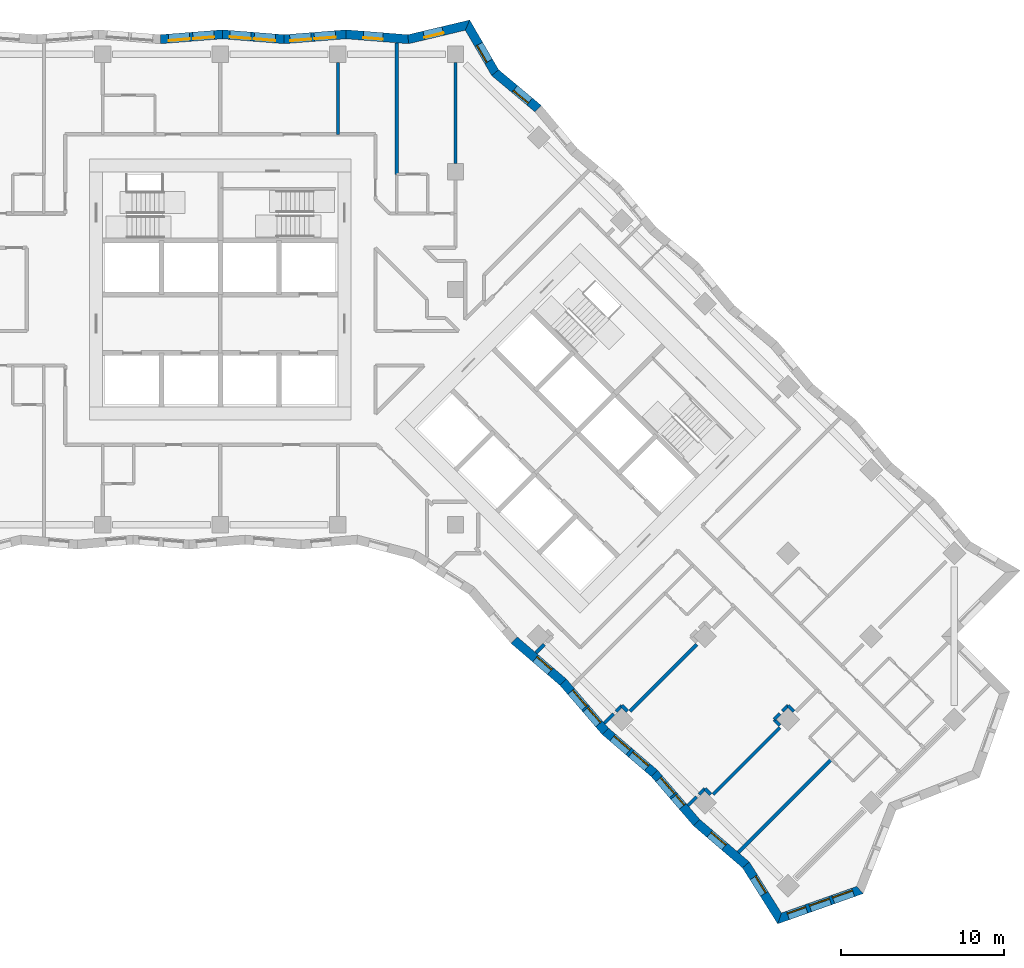
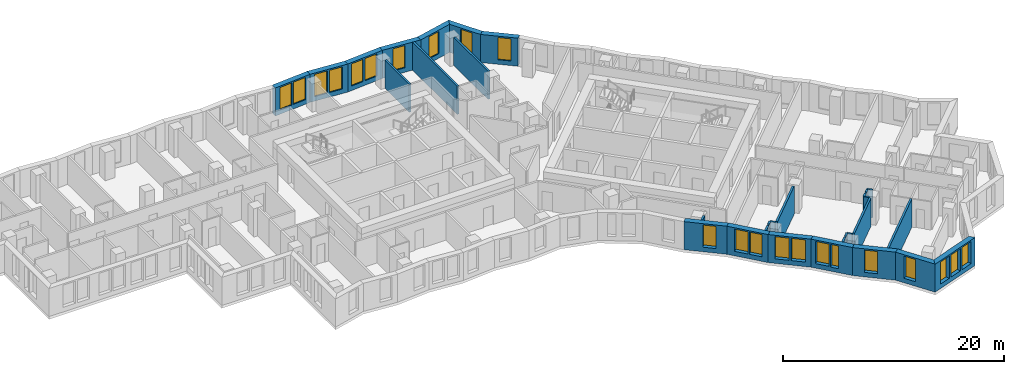
# One storey, part 7 of 12: 31 walls, 22 windows, 22 openings.
"""IFC4 building model written with IfcOpenShell, lengths in metres."""

from ifc_helpers import new_model, si_unit, direction, frame, frame_2d, origin, place, context, subcontext, project, spatial, polyline, rectangle, outline, extrude, material, layer, layer_set, type_object, element, fill, save


model = new_model("IFC4")

# Units and contexts
model_context = context("Model", 3, precision=1e-05, world=origin(), true_north=direction((0.0, 1.0)))
body_context = subcontext(model_context, "Body", "Model", "MODEL_VIEW")
ifc_project = project(units=[si_unit("LENGTHUNIT", "METRE"), si_unit("AREAUNIT", "SQUARE_METRE"), si_unit("VOLUMEUNIT", "CUBIC_METRE"), si_unit("PLANEANGLEUNIT", "RADIAN"), si_unit("MASSUNIT", "GRAM", prefix="KILO")], contexts=[model_context])

# Site, building, storey
site_placement = place(None, origin())
site = spatial("IfcSite", under=ifc_project, at=site_placement, CompositionType="ELEMENT")
building_placement = place(site_placement, origin())
building = spatial("IfcBuilding", under=site, at=building_placement, Name="Windrow Commons", CompositionType="ELEMENT")
storey_placement = place(building_placement, frame((0.0, 0.0, 81.2)))
storey = spatial("IfcBuildingStorey", under=building, at=storey_placement, Name="L21", CompositionType="ELEMENT", Elevation=81.2)

# Wall, openings, windows
ifc_material_1 = material(Name="Brick masonry, red clay brick", Category="masonry")
ifc_layer_1 = layer(ifc_material_1, 0.55)
ifc_layer_set_1 = layer_set([ifc_layer_1], Name="Brick facade wall 550")
wall_type_1 = type_object("IfcWallType", Name="Brick facade wall 550", PredefinedType="SOLIDWALL", material=ifc_layer_set_1)
wall_1_placement = place(storey_placement, frame((99.044, 19.0875, 0.0), z_axis=(0.0, 0.0, 1.0), x_axis=(0.9428152367, 0.3333158105, 0.0)))
wall_1 = element("IfcWall", 1, at=wall_1_placement, inside=storey, type_object=wall_type_1, Name="Brick facade wall L21 1", PredefinedType="SOLIDWALL", context=body_context, shape_type="SweptSolid", body=[
    extrude(outline(polyline([(-0.2199, -0.275), (5.3488, -0.275), (5.0971, 0.275), (0.2199, 0.275), (-0.2199, -0.275)])), origin(), (0.0, 0.0, 1.0), 3.1),
])
opening_1_placement = place(wall_1_placement, frame((1.9798, 0.0, 0.5)))
opening_1 = element("IfcOpeningElement", 2, at=opening_1_placement, cuts=wall_1, Name="Opening W1P", PredefinedType="OPENING", context=body_context, shape_type="SweptSolid", body=[
    extrude(rectangle(XDim=1.3, YDim=2.45, at=frame_2d((0.65, 1.225))), frame((0.0, 0.285, 0.0), z_axis=(0.0, -1.0, 0.0), x_axis=(1.0, 0.0, 0.0)), (0.0, 0.0, 1.0), 0.57),
])
opening_2_placement = place(wall_1_placement, frame((3.4798, 0.0, 0.5)))
opening_2 = element("IfcOpeningElement", 3, at=opening_2_placement, cuts=wall_1, Name="Opening W1P", PredefinedType="OPENING", context=body_context, shape_type="SweptSolid", body=[
    extrude(rectangle(XDim=1.3, YDim=2.45, at=frame_2d((0.65, 1.225))), frame((0.0, 0.285, 0.0), z_axis=(0.0, -1.0, 0.0), x_axis=(1.0, 0.0, 0.0)), (0.0, 0.0, 1.0), 0.57),
])
opening_3_placement = place(wall_1_placement, frame((0.5412, 0.0, 0.5)))
opening_3 = element("IfcOpeningElement", 4, at=opening_3_placement, cuts=wall_1, Name="Opening W7D", PredefinedType="OPENING", context=body_context, shape_type="SweptSolid", body=[
    extrude(rectangle(XDim=1.2, YDim=2.45, at=frame_2d((0.6, 1.225))), frame((0.0, 0.285, 0.0), z_axis=(0.0, -1.0, 0.0), x_axis=(1.0, 0.0, 0.0)), (0.0, 0.0, 1.0), 0.57),
])
ifc_material_2 = material(Name="Clear float glass in anodised aluminium frame", Category="aluminium")
window_type_1 = type_object("IfcWindowType", Name="Window W1P pair 1300x2450", PartitioningType="SINGLE_PANEL", PredefinedType="WINDOW", material=ifc_material_2)
window_1_placement = place(opening_1_placement, origin())
window_1 = element("IfcWindow", 5, at=window_1_placement, inside=storey, type_object=window_type_1, Name="Window L21 1.1A", OverallHeight=2.45, OverallWidth=1.3, PartitioningType="SINGLE_PANEL", PredefinedType="WINDOW", context=body_context, shape_type="SweptSolid", body=[
    extrude(rectangle(XDim=1.3, YDim=2.45, at=frame_2d((0.65, 1.225))), frame((0.0, 0.155, 0.0), z_axis=(0.0, -1.0, 0.0), x_axis=(1.0, 0.0, 0.0)), (0.0, 0.0, 1.0), 0.06),
])
fill(opening_1, window_1)
window_2_placement = place(opening_2_placement, origin())
window_2 = element("IfcWindow", 6, at=window_2_placement, inside=storey, type_object=window_type_1, Name="Window L21 1.1B", OverallHeight=2.45, OverallWidth=1.3, PartitioningType="SINGLE_PANEL", PredefinedType="WINDOW", context=body_context, shape_type="SweptSolid", body=[
    extrude(rectangle(XDim=1.3, YDim=2.45, at=frame_2d((0.65, 1.225))), frame((0.0, 0.155, 0.0), z_axis=(0.0, -1.0, 0.0), x_axis=(1.0, 0.0, 0.0)), (0.0, 0.0, 1.0), 0.06),
])
fill(opening_2, window_2)
ifc_material_3 = material(Name="Clear float glass in anodised aluminium frame", Category="aluminium")
window_type_2 = type_object("IfcWindowType", Name="Window W7 notch 1200x2450", PartitioningType="SINGLE_PANEL", PredefinedType="WINDOW", material=ifc_material_3)
window_3_placement = place(opening_3_placement, origin())
window_3 = element("IfcWindow", 7, at=window_3_placement, inside=storey, type_object=window_type_2, Name="Window L21 1.2", OverallHeight=2.45, OverallWidth=1.2, PartitioningType="SINGLE_PANEL", PredefinedType="WINDOW", context=body_context, shape_type="SweptSolid", body=[
    extrude(rectangle(XDim=1.2, YDim=2.45, at=frame_2d((0.6, 1.225))), frame((0.0, 0.155, 0.0), z_axis=(0.0, -1.0, 0.0), x_axis=(1.0, 0.0, 0.0)), (0.0, 0.0, 1.0), 0.06),
])
fill(opening_3, window_3)

# Wall, opening, window
wall_2_placement = place(storey_placement, frame((84.2658, 68.6651, 0.0), z_axis=(0.0, 0.0, 1.0), x_axis=(-0.7664346634, 0.6423222764, 0.0)))
wall_2 = element("IfcWall", 8, at=wall_2_placement, inside=storey, type_object=wall_type_1, Name="Brick facade wall L21 19", PredefinedType="SOLIDWALL", context=body_context, shape_type="SweptSolid", body=[
    extrude(outline(polyline([(-0.0242, -0.275), (3.3939, -0.275), (3.4901, 0.275), (0.0242, 0.275), (-0.0242, -0.275)])), origin(), (0.0, 0.0, 1.0), 3.1),
])
opening_4_placement = place(wall_2_placement, frame((0.6867, 0.0, 0.5)))
opening_4 = element("IfcOpeningElement", 9, at=opening_4_placement, cuts=wall_2, Name="Opening W7D", PredefinedType="OPENING", context=body_context, shape_type="SweptSolid", body=[
    extrude(rectangle(XDim=1.2, YDim=2.45, at=frame_2d((0.6, 1.225))), frame((0.0, 0.285, 0.0), z_axis=(0.0, -1.0, 0.0), x_axis=(1.0, 0.0, 0.0)), (0.0, 0.0, 1.0), 0.57),
])
window_4_placement = place(opening_4_placement, origin())
window_4 = element("IfcWindow", 10, at=window_4_placement, inside=storey, type_object=window_type_2, Name="Window L21 19.1", OverallHeight=2.45, OverallWidth=1.2, PartitioningType="SINGLE_PANEL", PredefinedType="WINDOW", context=body_context, shape_type="SweptSolid", body=[
    extrude(rectangle(XDim=1.2, YDim=2.45, at=frame_2d((0.6, 1.225))), frame((0.0, 0.155, 0.0), z_axis=(0.0, -1.0, 0.0), x_axis=(1.0, 0.0, 0.0)), (0.0, 0.0, 1.0), 0.06),
])
fill(opening_4, window_4)

wall_3_placement = place(storey_placement, frame((81.6277, 70.876, 0.0), z_axis=(0.0, 0.0, 1.0), x_axis=(-0.5029323205, 0.8643257956, 0.0)))
wall_3 = element("IfcWall", 11, at=wall_3_placement, inside=storey, type_object=wall_type_1, Name="Brick facade wall L21 20", PredefinedType="SOLIDWALL", context=body_context, shape_type="SweptSolid", body=[
    extrude(outline(polyline([(0.0481, -0.275), (3.57, -0.275), (3.1617, 0.275), (-0.0481, 0.275), (0.0481, -0.275)])), origin(), (0.0, 0.0, 1.0), 3.1),
])
opening_5_placement = place(wall_3_placement, frame((0.7988, 0.0, 0.5)))
opening_5 = element("IfcOpeningElement", 12, at=opening_5_placement, cuts=wall_3, Name="Opening W7D", PredefinedType="OPENING", context=body_context, shape_type="SweptSolid", body=[
    extrude(rectangle(XDim=1.2, YDim=2.45, at=frame_2d((0.6, 1.225))), frame((0.0, 0.285, 0.0), z_axis=(0.0, -1.0, 0.0), x_axis=(1.0, 0.0, 0.0)), (0.0, 0.0, 1.0), 0.57),
])
window_5_placement = place(opening_5_placement, origin())
window_5 = element("IfcWindow", 13, at=window_5_placement, inside=storey, type_object=window_type_2, Name="Window L21 20.1", OverallHeight=2.45, OverallWidth=1.2, PartitioningType="SINGLE_PANEL", PredefinedType="WINDOW", context=body_context, shape_type="SweptSolid", body=[
    extrude(rectangle(XDim=1.2, YDim=2.45, at=frame_2d((0.6, 1.225))), frame((0.0, 0.155, 0.0), z_axis=(0.0, -1.0, 0.0), x_axis=(1.0, 0.0, 0.0)), (0.0, 0.0, 1.0), 0.06),
])
fill(opening_5, window_5)

wall_4_placement = place(storey_placement, frame((79.9349, 73.7852, 0.0), z_axis=(0.0, 0.0, 1.0), x_axis=(-0.9728843946, -0.2312919254, 0.0)))
wall_4 = element("IfcWall", 14, at=wall_4_placement, inside=storey, type_object=wall_type_1, Name="Brick facade wall L21 21", PredefinedType="SOLIDWALL", context=body_context, shape_type="SweptSolid", body=[
    extrude(outline(polyline([(-0.2042, -0.275), (3.687, -0.275), (3.7736, 0.275), (0.2042, 0.275), (-0.2042, -0.275)])), origin(), (0.0, 0.0, 1.0), 3.1),
])
opening_6_placement = place(wall_4_placement, frame((1.5428, 0.0, 0.5)))
opening_6 = element("IfcOpeningElement", 15, at=opening_6_placement, cuts=wall_4, Name="Opening W7D", PredefinedType="OPENING", context=body_context, shape_type="SweptSolid", body=[
    extrude(rectangle(XDim=1.2, YDim=2.45, at=frame_2d((0.6, 1.225))), frame((0.0, 0.285, 0.0), z_axis=(0.0, -1.0, 0.0), x_axis=(1.0, 0.0, 0.0)), (0.0, 0.0, 1.0), 0.57),
])
window_6_placement = place(opening_6_placement, origin())
window_6 = element("IfcWindow", 16, at=window_6_placement, inside=storey, type_object=window_type_2, Name="Window L21 21.1", OverallHeight=2.45, OverallWidth=1.2, PartitioningType="SINGLE_PANEL", PredefinedType="WINDOW", context=body_context, shape_type="SweptSolid", body=[
    extrude(rectangle(XDim=1.2, YDim=2.45, at=frame_2d((0.6, 1.225))), frame((0.0, 0.155, 0.0), z_axis=(0.0, -1.0, 0.0), x_axis=(1.0, 0.0, 0.0)), (0.0, 0.0, 1.0), 0.06),
])
fill(opening_6, window_6)

wall_5_placement = place(storey_placement, frame((76.3057, 72.9224, 0.0), z_axis=(0.0, 0.0, 1.0), x_axis=(-0.9968745318, 0.0790010628, 0.0)))
wall_5 = element("IfcWall", 17, at=wall_5_placement, inside=storey, type_object=wall_type_1, Name="Brick facade wall L21 22", PredefinedType="SOLIDWALL", context=body_context, shape_type="SweptSolid", body=[
    extrude(outline(polyline([(0.0433, -0.275), (3.8408, -0.275), (3.7972, 0.275), (-0.0433, 0.275), (0.0433, -0.275)])), origin(), (0.0, 0.0, 1.0), 3.1),
])
opening_7_placement = place(wall_5_placement, frame((1.5526, 0.0, 0.5)))
opening_7 = element("IfcOpeningElement", 18, at=opening_7_placement, cuts=wall_5, Name="Opening W7D", PredefinedType="OPENING", context=body_context, shape_type="SweptSolid", body=[
    extrude(rectangle(XDim=1.2, YDim=2.45, at=frame_2d((0.6, 1.225))), frame((0.0, 0.285, 0.0), z_axis=(0.0, -1.0, 0.0), x_axis=(1.0, 0.0, 0.0)), (0.0, 0.0, 1.0), 0.57),
])
window_7_placement = place(opening_7_placement, origin())
window_7 = element("IfcWindow", 19, at=window_7_placement, inside=storey, type_object=window_type_2, Name="Window L21 22.1", OverallHeight=2.45, OverallWidth=1.2, PartitioningType="SINGLE_PANEL", PredefinedType="WINDOW", context=body_context, shape_type="SweptSolid", body=[
    extrude(rectangle(XDim=1.2, YDim=2.45, at=frame_2d((0.6, 1.225))), frame((0.0, 0.155, 0.0), z_axis=(0.0, -1.0, 0.0), x_axis=(1.0, 0.0, 0.0)), (0.0, 0.0, 1.0), 0.06),
])
fill(opening_7, window_7)

# Wall, openings, windows
wall_6_placement = place(storey_placement, frame((72.4987, 73.2241, 0.0), z_axis=(0.0, 0.0, 1.0), x_axis=(-0.9968747806, -0.0789979222, 0.0)))
wall_6 = element("IfcWall", 20, at=wall_6_placement, inside=storey, type_object=wall_type_1, Name="Brick facade wall L21 23", PredefinedType="SOLIDWALL", context=body_context, shape_type="SweptSolid", body=[
    extrude(outline(polyline([(-0.0218, -0.275), (3.7757, -0.275), (3.8193, 0.275), (0.0218, 0.275), (-0.0218, -0.275)])), origin(), (0.0, 0.0, 1.0), 3.1),
])
opening_8_placement = place(wall_6_placement, frame((0.6489, 0.0, 0.5)))
opening_8 = element("IfcOpeningElement", 21, at=opening_8_placement, cuts=wall_6, Name="Opening W1P", PredefinedType="OPENING", context=body_context, shape_type="SweptSolid", body=[
    extrude(rectangle(XDim=1.3, YDim=2.45, at=frame_2d((0.65, 1.225))), frame((0.0, 0.285, 0.0), z_axis=(0.0, -1.0, 0.0), x_axis=(1.0, 0.0, 0.0)), (0.0, 0.0, 1.0), 0.57),
])
opening_9_placement = place(wall_6_placement, frame((2.1489, 0.0, 0.5)))
opening_9 = element("IfcOpeningElement", 22, at=opening_9_placement, cuts=wall_6, Name="Opening W1P", PredefinedType="OPENING", context=body_context, shape_type="SweptSolid", body=[
    extrude(rectangle(XDim=1.3, YDim=2.45, at=frame_2d((0.65, 1.225))), frame((0.0, 0.285, 0.0), z_axis=(0.0, -1.0, 0.0), x_axis=(1.0, 0.0, 0.0)), (0.0, 0.0, 1.0), 0.57),
])
window_8_placement = place(opening_8_placement, origin())
window_8 = element("IfcWindow", 23, at=window_8_placement, inside=storey, type_object=window_type_1, Name="Window L21 23.1A", OverallHeight=2.45, OverallWidth=1.3, PartitioningType="SINGLE_PANEL", PredefinedType="WINDOW", context=body_context, shape_type="SweptSolid", body=[
    extrude(rectangle(XDim=1.3, YDim=2.45, at=frame_2d((0.65, 1.225))), frame((0.0, 0.155, 0.0), z_axis=(0.0, -1.0, 0.0), x_axis=(1.0, 0.0, 0.0)), (0.0, 0.0, 1.0), 0.06),
])
fill(opening_8, window_8)
window_9_placement = place(opening_9_placement, origin())
window_9 = element("IfcWindow", 24, at=window_9_placement, inside=storey, type_object=window_type_1, Name="Window L21 23.1B", OverallHeight=2.45, OverallWidth=1.3, PartitioningType="SINGLE_PANEL", PredefinedType="WINDOW", context=body_context, shape_type="SweptSolid", body=[
    extrude(rectangle(XDim=1.3, YDim=2.45, at=frame_2d((0.65, 1.225))), frame((0.0, 0.155, 0.0), z_axis=(0.0, -1.0, 0.0), x_axis=(1.0, 0.0, 0.0)), (0.0, 0.0, 1.0), 0.06),
])
fill(opening_9, window_9)

wall_7_placement = place(storey_placement, frame((68.713, 72.9241, 0.0), z_axis=(0.0, 0.0, 1.0), x_axis=(-0.9968746163, 0.078999996, 0.0)))
wall_7 = element("IfcWall", 25, at=wall_7_placement, inside=storey, type_object=wall_type_1, Name="Brick facade wall L21 24", PredefinedType="SOLIDWALL", context=body_context, shape_type="SweptSolid", body=[
    extrude(outline(polyline([(0.0218, -0.275), (3.8193, -0.275), (3.7757, 0.275), (-0.0218, 0.275), (0.0218, -0.275)])), origin(), (0.0, 0.0, 1.0), 3.1),
])
opening_10_placement = place(wall_7_placement, frame((0.5449, 0.0, 0.5)))
opening_10 = element("IfcOpeningElement", 26, at=opening_10_placement, cuts=wall_7, Name="Opening W1P", PredefinedType="OPENING", context=body_context, shape_type="SweptSolid", body=[
    extrude(rectangle(XDim=1.3, YDim=2.45, at=frame_2d((0.65, 1.225))), frame((0.0, 0.285, 0.0), z_axis=(0.0, -1.0, 0.0), x_axis=(1.0, 0.0, 0.0)), (0.0, 0.0, 1.0), 0.57),
])
opening_11_placement = place(wall_7_placement, frame((2.0449, 0.0, 0.5)))
opening_11 = element("IfcOpeningElement", 27, at=opening_11_placement, cuts=wall_7, Name="Opening W1P", PredefinedType="OPENING", context=body_context, shape_type="SweptSolid", body=[
    extrude(rectangle(XDim=1.3, YDim=2.45, at=frame_2d((0.65, 1.225))), frame((0.0, 0.285, 0.0), z_axis=(0.0, -1.0, 0.0), x_axis=(1.0, 0.0, 0.0)), (0.0, 0.0, 1.0), 0.57),
])
window_10_placement = place(opening_10_placement, origin())
window_10 = element("IfcWindow", 28, at=window_10_placement, inside=storey, type_object=window_type_1, Name="Window L21 24.1A", OverallHeight=2.45, OverallWidth=1.3, PartitioningType="SINGLE_PANEL", PredefinedType="WINDOW", context=body_context, shape_type="SweptSolid", body=[
    extrude(rectangle(XDim=1.3, YDim=2.45, at=frame_2d((0.65, 1.225))), frame((0.0, 0.155, 0.0), z_axis=(0.0, -1.0, 0.0), x_axis=(1.0, 0.0, 0.0)), (0.0, 0.0, 1.0), 0.06),
])
fill(opening_10, window_10)
window_11_placement = place(opening_11_placement, origin())
window_11 = element("IfcWindow", 29, at=window_11_placement, inside=storey, type_object=window_type_1, Name="Window L21 24.1B", OverallHeight=2.45, OverallWidth=1.3, PartitioningType="SINGLE_PANEL", PredefinedType="WINDOW", context=body_context, shape_type="SweptSolid", body=[
    extrude(rectangle(XDim=1.3, YDim=2.45, at=frame_2d((0.65, 1.225))), frame((0.0, 0.155, 0.0), z_axis=(0.0, -1.0, 0.0), x_axis=(1.0, 0.0, 0.0)), (0.0, 0.0, 1.0), 0.06),
])
fill(opening_11, window_11)

wall_8_placement = place(storey_placement, frame((64.9274, 73.2241, 0.0), z_axis=(0.0, 0.0, 1.0), x_axis=(-0.9968746163, -0.078999996, 0.0)))
wall_8 = element("IfcWall", 30, at=wall_8_placement, inside=storey, type_object=wall_type_1, Name="Brick facade wall L21 25", PredefinedType="SOLIDWALL", context=body_context, shape_type="SweptSolid", body=[
    extrude(outline(polyline([(-0.0218, -0.275), (3.7757, -0.275), (3.8193, 0.275), (0.0218, 0.275), (-0.0218, -0.275)])), origin(), (0.0, 0.0, 1.0), 3.1),
])
opening_12_placement = place(wall_8_placement, frame((0.5096, 0.0, 0.5)))
opening_12 = element("IfcOpeningElement", 31, at=opening_12_placement, cuts=wall_8, Name="Opening W1P", PredefinedType="OPENING", context=body_context, shape_type="SweptSolid", body=[
    extrude(rectangle(XDim=1.3, YDim=2.45, at=frame_2d((0.65, 1.225))), frame((0.0, 0.285, 0.0), z_axis=(0.0, -1.0, 0.0), x_axis=(1.0, 0.0, 0.0)), (0.0, 0.0, 1.0), 0.57),
])
opening_13_placement = place(wall_8_placement, frame((2.0096, 0.0, 0.5)))
opening_13 = element("IfcOpeningElement", 32, at=opening_13_placement, cuts=wall_8, Name="Opening W1P", PredefinedType="OPENING", context=body_context, shape_type="SweptSolid", body=[
    extrude(rectangle(XDim=1.3, YDim=2.45, at=frame_2d((0.65, 1.225))), frame((0.0, 0.285, 0.0), z_axis=(0.0, -1.0, 0.0), x_axis=(1.0, 0.0, 0.0)), (0.0, 0.0, 1.0), 0.57),
])
window_12_placement = place(opening_12_placement, origin())
window_12 = element("IfcWindow", 33, at=window_12_placement, inside=storey, type_object=window_type_1, Name="Window L21 25.1A", OverallHeight=2.45, OverallWidth=1.3, PartitioningType="SINGLE_PANEL", PredefinedType="WINDOW", context=body_context, shape_type="SweptSolid", body=[
    extrude(rectangle(XDim=1.3, YDim=2.45, at=frame_2d((0.65, 1.225))), frame((0.0, 0.155, 0.0), z_axis=(0.0, -1.0, 0.0), x_axis=(1.0, 0.0, 0.0)), (0.0, 0.0, 1.0), 0.06),
])
fill(opening_12, window_12)
window_13_placement = place(opening_13_placement, origin())
window_13 = element("IfcWindow", 34, at=window_13_placement, inside=storey, type_object=window_type_1, Name="Window L21 25.1B", OverallHeight=2.45, OverallWidth=1.3, PartitioningType="SINGLE_PANEL", PredefinedType="WINDOW", context=body_context, shape_type="SweptSolid", body=[
    extrude(rectangle(XDim=1.3, YDim=2.45, at=frame_2d((0.65, 1.225))), frame((0.0, 0.155, 0.0), z_axis=(0.0, -1.0, 0.0), x_axis=(1.0, 0.0, 0.0)), (0.0, 0.0, 1.0), 0.06),
])
fill(opening_13, window_13)

# Wall, opening, window
wall_9_placement = place(storey_placement, frame((82.7887, 36.133, 0.0), z_axis=(0.0, 0.0, 1.0), x_axis=(0.7586290345, -0.6515228223, 0.0)))
wall_9 = element("IfcWall", 35, at=wall_9_placement, inside=storey, type_object=wall_type_1, Name="Brick facade wall L21 54", PredefinedType="SOLIDWALL", context=body_context, shape_type="SweptSolid", body=[
    extrude(outline(polyline([(-0.0209, -0.275), (3.9406, -0.275), (3.9824, 0.275), (0.0209, 0.275), (-0.0209, -0.275)])), origin(), (0.0, 0.0, 1.0), 3.1),
])
opening_14_placement = place(wall_9_placement, frame((1.7323, 0.0, 0.5)))
opening_14 = element("IfcOpeningElement", 36, at=opening_14_placement, cuts=wall_9, Name="Opening W7D", PredefinedType="OPENING", context=body_context, shape_type="SweptSolid", body=[
    extrude(rectangle(XDim=1.2, YDim=2.45, at=frame_2d((0.6, 1.225))), frame((0.0, 0.285, 0.0), z_axis=(0.0, -1.0, 0.0), x_axis=(1.0, 0.0, 0.0)), (0.0, 0.0, 1.0), 0.57),
])
window_14_placement = place(opening_14_placement, origin())
window_14 = element("IfcWindow", 37, at=window_14_placement, inside=storey, type_object=window_type_2, Name="Window L21 54.1", OverallHeight=2.45, OverallWidth=1.2, PartitioningType="SINGLE_PANEL", PredefinedType="WINDOW", context=body_context, shape_type="SweptSolid", body=[
    extrude(rectangle(XDim=1.2, YDim=2.45, at=frame_2d((0.6, 1.225))), frame((0.0, 0.155, 0.0), z_axis=(0.0, -1.0, 0.0), x_axis=(1.0, 0.0, 0.0)), (0.0, 0.0, 1.0), 0.06),
])
fill(opening_14, window_14)

# Wall, openings, windows
wall_10_placement = place(storey_placement, frame((85.794, 33.552, 0.0), z_axis=(0.0, 0.0, 1.0), x_axis=(0.6515228223, -0.7586290345, 0.0)))
wall_10 = element("IfcWall", 38, at=wall_10_placement, inside=storey, type_object=wall_type_1, Name="Brick facade wall L21 55", PredefinedType="SOLIDWALL", context=body_context, shape_type="SweptSolid", body=[
    extrude(outline(polyline([(0.0209, -0.275), (3.9824, -0.275), (3.9406, 0.275), (-0.0209, 0.275), (0.0209, -0.275)])), origin(), (0.0, 0.0, 1.0), 3.1),
])
opening_15_placement = place(wall_10_placement, frame((0.7463, 0.0, 0.5)))
opening_15 = element("IfcOpeningElement", 39, at=opening_15_placement, cuts=wall_10, Name="Opening W1P", PredefinedType="OPENING", context=body_context, shape_type="SweptSolid", body=[
    extrude(rectangle(XDim=1.3, YDim=2.45, at=frame_2d((0.65, 1.225))), frame((0.0, 0.285, 0.0), z_axis=(0.0, -1.0, 0.0), x_axis=(1.0, 0.0, 0.0)), (0.0, 0.0, 1.0), 0.57),
])
opening_16_placement = place(wall_10_placement, frame((2.1677, 0.0, 0.5)))
opening_16 = element("IfcOpeningElement", 40, at=opening_16_placement, cuts=wall_10, Name="Opening W7D", PredefinedType="OPENING", context=body_context, shape_type="SweptSolid", body=[
    extrude(rectangle(XDim=1.2, YDim=2.45, at=frame_2d((0.6, 1.225))), frame((0.0, 0.285, 0.0), z_axis=(0.0, -1.0, 0.0), x_axis=(1.0, 0.0, 0.0)), (0.0, 0.0, 1.0), 0.57),
])
window_15_placement = place(opening_15_placement, origin())
window_15 = element("IfcWindow", 41, at=window_15_placement, inside=storey, type_object=window_type_1, Name="Window L21 55.1A", OverallHeight=2.45, OverallWidth=1.3, PartitioningType="SINGLE_PANEL", PredefinedType="WINDOW", context=body_context, shape_type="SweptSolid", body=[
    extrude(rectangle(XDim=1.3, YDim=2.45, at=frame_2d((0.65, 1.225))), frame((0.0, 0.155, 0.0), z_axis=(0.0, -1.0, 0.0), x_axis=(1.0, 0.0, 0.0)), (0.0, 0.0, 1.0), 0.06),
])
fill(opening_15, window_15)
window_16_placement = place(opening_16_placement, origin())
window_16 = element("IfcWindow", 42, at=window_16_placement, inside=storey, type_object=window_type_2, Name="Window L21 55.1BA", OverallHeight=2.45, OverallWidth=1.2, PartitioningType="SINGLE_PANEL", PredefinedType="WINDOW", context=body_context, shape_type="SweptSolid", body=[
    extrude(rectangle(XDim=1.2, YDim=2.45, at=frame_2d((0.6, 1.225))), frame((0.0, 0.155, 0.0), z_axis=(0.0, -1.0, 0.0), x_axis=(1.0, 0.0, 0.0)), (0.0, 0.0, 1.0), 0.06),
])
fill(opening_16, window_16)

wall_11_placement = place(storey_placement, frame((88.375, 30.5467, 0.0), z_axis=(0.0, 0.0, 1.0), x_axis=(0.7586290345, -0.6515228223, 0.0)))
wall_11 = element("IfcWall", 43, at=wall_11_placement, inside=storey, type_object=wall_type_1, Name="Brick facade wall L21 56", PredefinedType="SOLIDWALL", context=body_context, shape_type="SweptSolid", body=[
    extrude(outline(polyline([(-0.0209, -0.275), (3.9406, -0.275), (3.9824, 0.275), (0.0209, 0.275), (-0.0209, -0.275)])), origin(), (0.0, 0.0, 1.0), 3.1),
])
opening_17_placement = place(wall_11_placement, frame((0.5912, 0.0, 0.5)))
opening_17 = element("IfcOpeningElement", 44, at=opening_17_placement, cuts=wall_11, Name="Opening W1P", PredefinedType="OPENING", context=body_context, shape_type="SweptSolid", body=[
    extrude(rectangle(XDim=1.3, YDim=2.45, at=frame_2d((0.65, 1.225))), frame((0.0, 0.285, 0.0), z_axis=(0.0, -1.0, 0.0), x_axis=(1.0, 0.0, 0.0)), (0.0, 0.0, 1.0), 0.57),
])
opening_18_placement = place(wall_11_placement, frame((2.0912, 0.0, 0.5)))
opening_18 = element("IfcOpeningElement", 45, at=opening_18_placement, cuts=wall_11, Name="Opening W1P", PredefinedType="OPENING", context=body_context, shape_type="SweptSolid", body=[
    extrude(rectangle(XDim=1.3, YDim=2.45, at=frame_2d((0.65, 1.225))), frame((0.0, 0.285, 0.0), z_axis=(0.0, -1.0, 0.0), x_axis=(1.0, 0.0, 0.0)), (0.0, 0.0, 1.0), 0.57),
])
window_17_placement = place(opening_17_placement, origin())
window_17 = element("IfcWindow", 46, at=window_17_placement, inside=storey, type_object=window_type_1, Name="Window L21 56.1A", OverallHeight=2.45, OverallWidth=1.3, PartitioningType="SINGLE_PANEL", PredefinedType="WINDOW", context=body_context, shape_type="SweptSolid", body=[
    extrude(rectangle(XDim=1.3, YDim=2.45, at=frame_2d((0.65, 1.225))), frame((0.0, 0.155, 0.0), z_axis=(0.0, -1.0, 0.0), x_axis=(1.0, 0.0, 0.0)), (0.0, 0.0, 1.0), 0.06),
])
fill(opening_17, window_17)
window_18_placement = place(opening_18_placement, origin())
window_18 = element("IfcWindow", 47, at=window_18_placement, inside=storey, type_object=window_type_1, Name="Window L21 56.1B", OverallHeight=2.45, OverallWidth=1.3, PartitioningType="SINGLE_PANEL", PredefinedType="WINDOW", context=body_context, shape_type="SweptSolid", body=[
    extrude(rectangle(XDim=1.3, YDim=2.45, at=frame_2d((0.65, 1.225))), frame((0.0, 0.155, 0.0), z_axis=(0.0, -1.0, 0.0), x_axis=(1.0, 0.0, 0.0)), (0.0, 0.0, 1.0), 0.06),
])
fill(opening_18, window_18)

wall_12_placement = place(storey_placement, frame((91.3803, 27.9657, 0.0), z_axis=(0.0, 0.0, 1.0), x_axis=(0.6515352992, -0.758618319, 0.0)))
wall_12 = element("IfcWall", 48, at=wall_12_placement, inside=storey, type_object=wall_type_1, Name="Brick facade wall L21 57", PredefinedType="SOLIDWALL", context=body_context, shape_type="SweptSolid", body=[
    extrude(outline(polyline([(0.0209, -0.275), (3.9824, -0.275), (3.9406, 0.275), (-0.0209, 0.275), (0.0209, -0.275)])), origin(), (0.0, 0.0, 1.0), 3.1),
])
opening_19_placement = place(wall_12_placement, frame((0.4301, 0.0, 0.5)))
opening_19 = element("IfcOpeningElement", 49, at=opening_19_placement, cuts=wall_12, Name="Opening W1P", PredefinedType="OPENING", context=body_context, shape_type="SweptSolid", body=[
    extrude(rectangle(XDim=1.3, YDim=2.45, at=frame_2d((0.65, 1.225))), frame((0.0, 0.285, 0.0), z_axis=(0.0, -1.0, 0.0), x_axis=(1.0, 0.0, 0.0)), (0.0, 0.0, 1.0), 0.57),
])
opening_20_placement = place(wall_12_placement, frame((1.858, 0.0, 0.45)))
opening_20 = element("IfcOpeningElement", 50, at=opening_20_placement, cuts=wall_12, Name="Opening W1N", PredefinedType="OPENING", context=body_context, shape_type="SweptSolid", body=[
    extrude(rectangle(XDim=0.8, YDim=2.5, at=frame_2d((0.4, 1.25))), frame((0.0, 0.285, 0.0), z_axis=(0.0, -1.0, 0.0), x_axis=(1.0, 0.0, 0.0)), (0.0, 0.0, 1.0), 0.57),
])
ifc_material_4 = material(Name="Clear float glass in anodised aluminium frame", Category="aluminium")
window_type_3 = type_object("IfcWindowType", Name="Window W1N slit 800x2500", PartitioningType="SINGLE_PANEL", PredefinedType="WINDOW", material=ifc_material_4)
window_19_placement = place(opening_20_placement, origin())
window_19 = element("IfcWindow", 51, at=window_19_placement, inside=storey, type_object=window_type_3, Name="Window L21 57.1BA", OverallHeight=2.5, OverallWidth=0.8, PartitioningType="SINGLE_PANEL", PredefinedType="WINDOW", context=body_context, shape_type="SweptSolid", body=[
    extrude(rectangle(XDim=0.8, YDim=2.5, at=frame_2d((0.4, 1.25))), frame((0.0, 0.155, 0.0), z_axis=(0.0, -1.0, 0.0), x_axis=(1.0, 0.0, 0.0)), (0.0, 0.0, 1.0), 0.06),
])
fill(opening_20, window_19)
window_20_placement = place(opening_19_placement, origin())
window_20 = element("IfcWindow", 52, at=window_20_placement, inside=storey, type_object=window_type_1, Name="Window L21 57.1A", OverallHeight=2.45, OverallWidth=1.3, PartitioningType="SINGLE_PANEL", PredefinedType="WINDOW", context=body_context, shape_type="SweptSolid", body=[
    extrude(rectangle(XDim=1.3, YDim=2.45, at=frame_2d((0.65, 1.225))), frame((0.0, 0.155, 0.0), z_axis=(0.0, -1.0, 0.0), x_axis=(1.0, 0.0, 0.0)), (0.0, 0.0, 1.0), 0.06),
])
fill(opening_19, window_20)

# Wall, opening, window
wall_13_placement = place(storey_placement, frame((93.9613, 24.9605, 0.0), z_axis=(0.0, 0.0, 1.0), x_axis=(0.7586163158, -0.6515376316, 0.0)))
wall_13 = element("IfcWall", 53, at=wall_13_placement, inside=storey, type_object=wall_type_1, Name="Brick facade wall L21 58", PredefinedType="SOLIDWALL", context=body_context, shape_type="SweptSolid", body=[
    extrude(outline(polyline([(-0.0209, -0.275), (3.9406, -0.275), (4.0237, 0.275), (0.0209, 0.275), (-0.0209, -0.275)])), origin(), (0.0, 0.0, 1.0), 3.1),
])
opening_21_placement = place(wall_13_placement, frame((1.065, 0.0, 0.5)))
opening_21 = element("IfcOpeningElement", 54, at=opening_21_placement, cuts=wall_13, Name="Opening W7D", PredefinedType="OPENING", context=body_context, shape_type="SweptSolid", body=[
    extrude(rectangle(XDim=1.2, YDim=2.45, at=frame_2d((0.6, 1.225))), frame((0.0, 0.285, 0.0), z_axis=(0.0, -1.0, 0.0), x_axis=(1.0, 0.0, 0.0)), (0.0, 0.0, 1.0), 0.57),
])
window_21_placement = place(opening_21_placement, origin())
window_21 = element("IfcWindow", 55, at=window_21_placement, inside=storey, type_object=window_type_2, Name="Window L21 58.1", OverallHeight=2.45, OverallWidth=1.2, PartitioningType="SINGLE_PANEL", PredefinedType="WINDOW", context=body_context, shape_type="SweptSolid", body=[
    extrude(rectangle(XDim=1.2, YDim=2.45, at=frame_2d((0.6, 1.225))), frame((0.0, 0.155, 0.0), z_axis=(0.0, -1.0, 0.0), x_axis=(1.0, 0.0, 0.0)), (0.0, 0.0, 1.0), 0.06),
])
fill(opening_21, window_21)

wall_14_placement = place(storey_placement, frame((96.9822, 22.366, 0.0), z_axis=(0.0, 0.0, 1.0), x_axis=(0.5323618976, -0.8465168693, 0.0)))
wall_14 = element("IfcWall", 56, at=wall_14_placement, inside=storey, type_object=wall_type_1, Name="Brick facade wall L21 59", PredefinedType="SOLIDWALL", context=body_context, shape_type="SweptSolid", body=[
    extrude(outline(polyline([(0.0415, -0.275), (4.0929, -0.275), (3.653, 0.275), (-0.0415, 0.275), (0.0415, -0.275)])), origin(), (0.0, 0.0, 1.0), 3.1),
])
opening_22_placement = place(wall_14_placement, frame((0.8997, 0.0, 0.5)))
opening_22 = element("IfcOpeningElement", 57, at=opening_22_placement, cuts=wall_14, Name="Opening W7D", PredefinedType="OPENING", context=body_context, shape_type="SweptSolid", body=[
    extrude(rectangle(XDim=1.2, YDim=2.45, at=frame_2d((0.6, 1.225))), frame((0.0, 0.285, 0.0), z_axis=(0.0, -1.0, 0.0), x_axis=(1.0, 0.0, 0.0)), (0.0, 0.0, 1.0), 0.57),
])
window_22_placement = place(opening_22_placement, origin())
window_22 = element("IfcWindow", 58, at=window_22_placement, inside=storey, type_object=window_type_2, Name="Window L21 59.1", OverallHeight=2.45, OverallWidth=1.2, PartitioningType="SINGLE_PANEL", PredefinedType="WINDOW", context=body_context, shape_type="SweptSolid", body=[
    extrude(rectangle(XDim=1.2, YDim=2.45, at=frame_2d((0.6, 1.225))), frame((0.0, 0.155, 0.0), z_axis=(0.0, -1.0, 0.0), x_axis=(1.0, 0.0, 0.0)), (0.0, 0.0, 1.0), 0.06),
])
fill(opening_22, window_22)

# Walls
ifc_material_5 = material(Name="Blockwork partition", Category="masonry")
ifc_layer_2 = layer(ifc_material_5, 0.2)
ifc_layer_set_2 = layer_set([ifc_layer_2], Name="IW-PARTY-200")
wall_type_2 = type_object("IfcWallType", Name="IW-PARTY-200", PredefinedType="PARTITIONING", material=ifc_layer_set_2)
wall_15_placement = place(storey_placement, frame((96.5178, 23.1273, 0.0), z_axis=(0.0, 0.0, 1.0), x_axis=(0.7069765458, 0.7072369926, 0.0)))
element("IfcWall", 59, at=wall_15_placement, inside=storey, type_object=wall_type_2, Name="W-L21-W015", PredefinedType="PARTITIONING", context=body_context, shape_type="SweptSolid", body=[
    extrude(rectangle(XDim=8.0631, YDim=0.2, at=frame_2d((4.0316, 0.0))), origin(), (0.0, 0.0, 1.0), 3.1),
])
wall_16_placement = place(storey_placement, frame((75.6, 64.65, 0.0), z_axis=(0.0, 0.0, 1.0), x_axis=(0.0, 1.0, 0.0)))
element("IfcWall", 60, at=wall_16_placement, inside=storey, type_object=wall_type_2, Name="W-L21-W017", PredefinedType="PARTITIONING", context=body_context, shape_type="SweptSolid", body=[
    extrude(rectangle(XDim=8.0525, YDim=0.2, at=frame_2d((4.0263, 0.0))), origin(), (0.0, 0.0, 1.0), 3.1),
])
wall_17_placement = place(storey_placement, frame((79.2, 65.3, 0.0), z_axis=(0.0, 0.0, 1.0), x_axis=(0.0, 1.0, 0.0)))
element("IfcWall", 61, at=wall_17_placement, inside=storey, type_object=wall_type_2, Name="W-L21-W026", PredefinedType="PARTITIONING", context=body_context, shape_type="SweptSolid", body=[
    extrude(rectangle(XDim=6.2, YDim=0.2, at=frame_2d((3.1, 0.0))), origin(), (0.0, 0.0, 1.0), 3.1),
])
wall_18_placement = place(storey_placement, frame((89.881, 31.771, 0.0), z_axis=(0.0, 0.0, 1.0), x_axis=(0.7071067812, 0.7071067812, 0.0)))
element("IfcWall", 62, at=wall_18_placement, inside=storey, type_object=wall_type_2, Name="W-L21-W029", PredefinedType="PARTITIONING", context=body_context, shape_type="SweptSolid", body=[
    extrude(rectangle(XDim=5.787, YDim=0.2, at=frame_2d((2.8935, 0.0))), origin(), (0.0, 0.0, 1.0), 3.1),
])
wall_19_placement = place(storey_placement, frame((94.9732, 26.6808, 0.0), z_axis=(0.0, 0.0, 1.0), x_axis=(0.7071067812, 0.7071067812, 0.0)))
element("IfcWall", 63, at=wall_19_placement, inside=storey, type_object=wall_type_2, Name="W-L21-W032", PredefinedType="PARTITIONING", context=body_context, shape_type="SweptSolid", body=[
    extrude(rectangle(XDim=5.7841, YDim=0.2, at=frame_2d((2.892, 0.0))), origin(), (0.0, 0.0, 1.0), 3.1),
])
wall_20_placement = place(storey_placement, frame((72.0, 67.1, 0.0), z_axis=(0.0, 0.0, 1.0), x_axis=(0.0, 1.0, 0.0)))
element("IfcWall", 64, at=wall_20_placement, inside=storey, type_object=wall_type_2, Name="W-L21-W046", PredefinedType="PARTITIONING", context=body_context, shape_type="SweptSolid", body=[
    extrude(rectangle(XDim=4.4, YDim=0.2, at=frame_2d((2.2, 0.0))), origin(), (0.0, 0.0, 1.0), 3.1),
])
wall_21_placement = place(storey_placement, frame((88.3081, 31.0466, 0.0), z_axis=(0.0, 0.0, 1.0), x_axis=(0.7071684107, 0.7070451463, 0.0)))
element("IfcWall", 65, at=wall_21_placement, inside=storey, type_object=wall_type_2, Name="W-L21-W154", PredefinedType="PARTITIONING", context=body_context, shape_type="SweptSolid", body=[
    extrude(rectangle(XDim=0.8113, YDim=0.2, at=frame_2d((0.4057, 0.0))), origin(), (0.0, 0.0, 1.0), 3.1),
])
wall_22_placement = place(storey_placement, frame((93.4369, 25.9931, 0.0), z_axis=(0.0, 0.0, 1.0), x_axis=(0.7071067812, 0.7071067812, 0.0)))
element("IfcWall", 66, at=wall_22_placement, inside=storey, type_object=wall_type_2, Name="W-L21-W155", PredefinedType="PARTITIONING", context=body_context, shape_type="SweptSolid", body=[
    extrude(rectangle(XDim=0.758, YDim=0.2, at=frame_2d((0.379, 0.0))), origin(), (0.0, 0.0, 1.0), 3.1),
])
wall_23_placement = place(storey_placement, frame((84.1245, 35.3483, 0.0), z_axis=(0.0, 0.0, 1.0), x_axis=(0.7071067812, 0.7071067812, 0.0)))
element("IfcWall", 67, at=wall_23_placement, inside=storey, type_object=wall_type_2, Name="W-L21-W157", PredefinedType="PARTITIONING", context=body_context, shape_type="SweptSolid", body=[
    extrude(rectangle(XDim=0.7278, YDim=0.2, at=frame_2d((0.3639, 0.0))), origin(), (0.0, 0.0, 1.0), 3.1),
])
wall_24_placement = place(storey_placement, frame((98.7088, 31.2648, 0.0), z_axis=(0.0, 0.0, 1.0), x_axis=(0.7051008166, -0.7091070712, 0.0)))
element("IfcWall", 68, at=wall_24_placement, inside=storey, type_object=wall_type_2, Name="W-L21-W161", PredefinedType="PARTITIONING", context=body_context, shape_type="SweptSolid", body=[
    extrude(rectangle(XDim=0.4992, YDim=0.2, at=frame_2d((0.2496, 0.0))), origin(), (0.0, 0.0, 1.0), 3.1),
])
for number, where, z_axis, x_axis, name in (
    (69, (99.5688, 32.1228, 0.0), (0.0, 0.0, 1.0), (0.7071067812, -0.7071067812, 0.0), "W-L21-W162"),
    (70, (94.4776, 27.0316, 0.0), (0.0, 0.0, 1.0), (0.7071067812, -0.7071067812, 0.0), "W-L21-W164"),
    (71, (94.1249, 26.6811, 0.0), (0.0, 0.0, 1.0), (0.7071067812, 0.7071067812, 0.0), "W-L21-W166"),
    (72, (99.2149, 31.7711, 0.0), (0.0, 0.0, 1.0), (0.7071067812, 0.7071067812, 0.0), "W-L21-W167"),
    (73, (89.3866, 32.1226, 0.0), (0.0, 0.0, 1.0), (0.7071067812, -0.7071067812, 0.0), "W-L21-W168"),
    (74, (89.0328, 31.7712, 0.0), (0.0, 0.0, 1.0), (0.7071067812, 0.7071067812, 0.0), "W-L21-W171"),
    (75, (98.7119, 31.2681, 0.0), (0.0, 0.0, 1.0), (0.7071067812, 0.7071067812, 0.0), "W-L21-W173"),
):
    element("IfcWall", number, at=place(storey_placement, frame(where, z_axis=z_axis, x_axis=x_axis)), inside=storey, type_object=wall_type_2, Name=name, PredefinedType="PARTITIONING", context=body_context, shape_type="SweptSolid", body=[
        extrude(rectangle(XDim=0.4978, YDim=0.2, at=frame_2d((0.2489, 0.0))), origin(), (0.0, 0.0, 1.0), 3.1),
    ])

save(model, "model.ifc")
